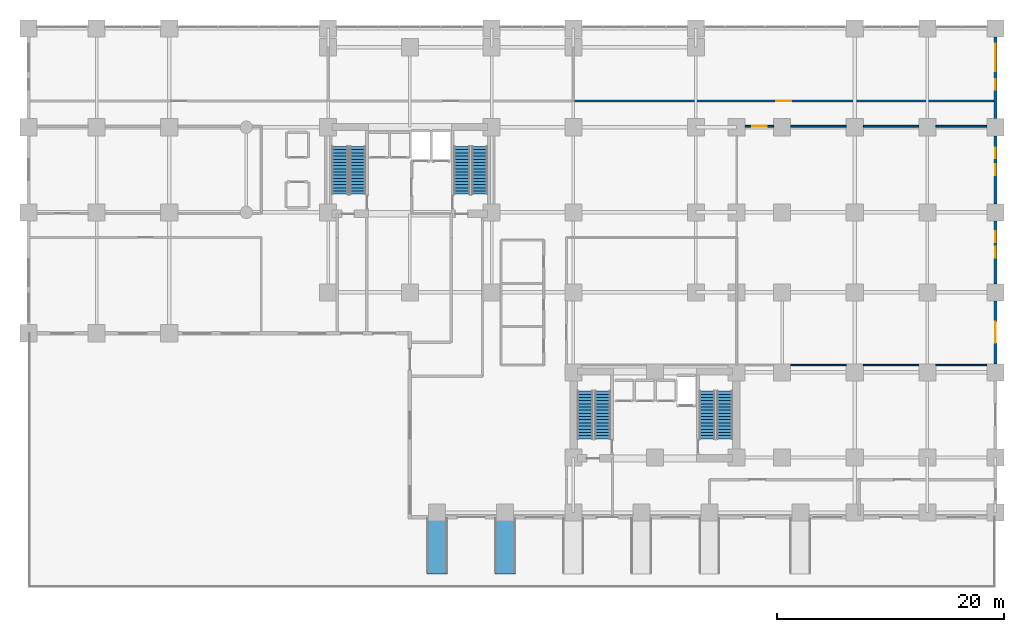
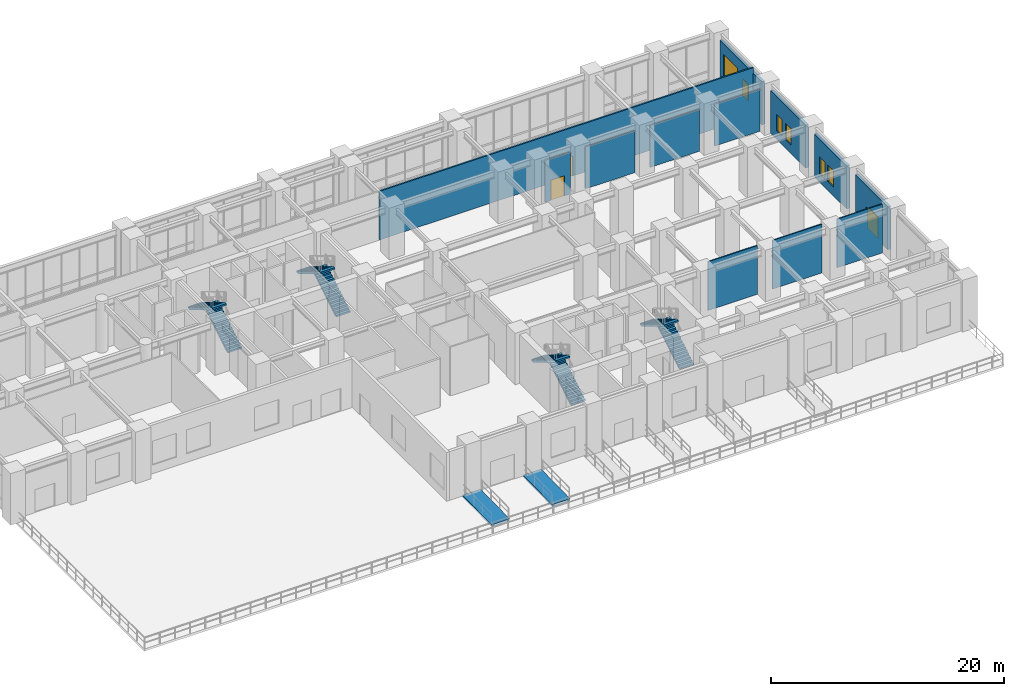
# One storey, part 17 of 22: 12 walls, 8 stair flights, 6 windows, 3 doors, 2 ramp flights, 9 openings, 6 elements without a shape of their own.
"""IFC4 building model written with IfcOpenShell, lengths in metres."""

from ifc_helpers import new_model, si_unit, direction, frame, frame_2d, origin, place, context, subcontext, project, spatial, polyline, rectangle, outline, extrude, material, layer, layer_set, type_object, element, fill, aggregate, save


model = new_model("IFC4")

# Units and contexts
model_context = context("Model", 3, precision=1e-05, world=origin(), true_north=direction((0.0, 1.0)))
body_context = subcontext(model_context, "Body", "Model", "MODEL_VIEW")
ifc_project = project(units=[si_unit("LENGTHUNIT", "METRE"), si_unit("AREAUNIT", "SQUARE_METRE"), si_unit("VOLUMEUNIT", "CUBIC_METRE"), si_unit("PLANEANGLEUNIT", "RADIAN"), si_unit("MASSUNIT", "GRAM", prefix="KILO")], contexts=[model_context])

# Site, building, storey
site_placement = place(None, origin())
site = spatial("IfcSite", under=ifc_project, at=site_placement, CompositionType="ELEMENT")
building_placement = place(site_placement, origin())
building = spatial("IfcBuilding", under=site, at=building_placement, Name="Kaliganga Portal Commons", CompositionType="ELEMENT")
storey_placement = place(building_placement, origin())
storey = spatial("IfcBuildingStorey", under=building, at=storey_placement, Name="L00", CompositionType="ELEMENT", Elevation=0.0)

# Wall, opening, door
ifc_material_1 = material(Name="Precast concrete C40/50", Category="concrete")
ifc_layer_1 = layer(ifc_material_1, 0.300048828125)
ifc_layer_set_1 = layer_set([ifc_layer_1], Name="Precast concrete C40/50")
wall_type_1 = type_object("IfcWallType", Name="WL-EXT-POD-300", PredefinedType="STANDARD", material=ifc_layer_set_1)
wall_1_placement = place(storey_placement, frame((73.199951171875, 20.84912109375, 0.0), z_axis=(0.0, 0.0, 1.0), x_axis=(0.0, -1.0, 0.0)))
wall_1 = element("IfcWall", 1, at=wall_1_placement, inside=storey, type_object=wall_type_1, Name="Exterior Envelope Wall L00 P1-E01-S3", PredefinedType="STANDARD", context=body_context, shape_type="SweptSolid", body=[
    extrude(rectangle(XDim=5.548095703125, YDim=0.300048828125, at=frame_2d((2.77392578125, 0.0))), origin(), (0.0, 0.0, 1.0), 4.5),
])
opening_1_placement = place(wall_1_placement, frame((1.84912109375, 0.0, 0.0)))
opening_1 = element("IfcOpeningElement", 2, at=opening_1_placement, cuts=wall_1, Name="Opening XD-01", PredefinedType="OPENING", context=body_context, shape_type="SweptSolid", body=[
    extrude(rectangle(XDim=1.85009765625, YDim=2.25, at=frame_2d((0.925048828125, 1.125))), frame((0.0, 0.16015625, 0.0), z_axis=(0.0, -1.0, 0.0), x_axis=(1.0, 0.0, 0.0)), (0.0, 0.0, 1.0), 0.320068359375),
])
ifc_material_2 = material(Name="Anodized Aluminium and Laminated Safety Glass", Category="aluminium")
door_type_1 = type_object("IfcDoorType", Name="DR-EXIT-1850", OperationType="DOUBLE_DOOR_SINGLE_SWING", PredefinedType="DOOR", material=ifc_material_2)
door_1_placement = place(opening_1_placement, origin())
door_1 = element("IfcDoor", 3, at=door_1_placement, inside=storey, type_object=door_type_1, Name="North-East Concourse Exit Discharge Door XD-E2", OperationType="DOUBLE_DOOR_SINGLE_SWING", OverallHeight=2.25, OverallWidth=1.85009765625, PredefinedType="DOOR", context=body_context, shape_type="SweptSolid", body=[
    extrude(rectangle(XDim=1.85009765625, YDim=2.25, at=frame_2d((0.925048828125, 1.125))), frame((0.0, 0.02490234375, 0.0), z_axis=(0.0, -1.0, 0.0), x_axis=(1.0, 0.0, 0.0)), (0.0, 0.0, 1.0), 0.050048828125),
])
fill(opening_1, door_1)

# Wall, openings, windows
wall_2_placement = place(storey_placement, frame((73.199951171875, 27.89892578125, 0.0), z_axis=(0.0, 0.0, 1.0), x_axis=(0.0, -1.0, 0.0)))
wall_2 = element("IfcWall", 4, at=wall_2_placement, inside=storey, type_object=wall_type_1, Name="Exterior Envelope Wall L00 P1-E01-S4", PredefinedType="STANDARD", context=body_context, shape_type="SweptSolid", body=[
    extrude(rectangle(XDim=5.5478515625, YDim=0.300048828125, at=frame_2d((2.77392578125, 0.0))), origin(), (0.0, 0.0, 1.0), 4.5),
])
opening_2_placement = place(wall_2_placement, frame((2.299072265625, 0.0, 0.89990234375)))
opening_2 = element("IfcOpeningElement", 5, at=opening_2_placement, cuts=wall_2, Name="Opening W-04", PredefinedType="OPENING", context=body_context, shape_type="SweptSolid", body=[
    extrude(rectangle(XDim=0.949951171875, YDim=1.75, at=frame_2d((0.47509765625, 0.875))), frame((0.0, 0.16015625, 0.0), z_axis=(0.0, -1.0, 0.0), x_axis=(1.0, 0.0, 0.0)), (0.0, 0.0, 1.0), 0.320068359375),
])
opening_3_placement = place(wall_2_placement, frame((0.923095703125, 0.0, 0.89990234375)))
opening_3 = element("IfcOpeningElement", 6, at=opening_3_placement, cuts=wall_2, Name="Opening W-04", PredefinedType="OPENING", context=body_context, shape_type="SweptSolid", body=[
    extrude(rectangle(XDim=0.949951171875, YDim=1.75, at=frame_2d((0.47509765625, 0.875))), frame((0.0, 0.16015625, 0.0), z_axis=(0.0, -1.0, 0.0), x_axis=(1.0, 0.0, 0.0)), (0.0, 0.0, 1.0), 0.320068359375),
])
ifc_material_3 = material(Name="Thermally Broken Aluminium and Low-E Double Glazing", Category="aluminium")
window_type_1 = type_object("IfcWindowType", Name="WIN-NARROW-950", PartitioningType="SINGLE_PANEL", PredefinedType="WINDOW", material=ifc_material_3)
window_1_placement = place(opening_2_placement, origin())
window_1 = element("IfcWindow", 7, at=window_1_placement, inside=storey, type_object=window_type_1, Name="Facade Window L00-P1E01S4-N0", OverallHeight=1.75, OverallWidth=0.949951171875, PartitioningType="SINGLE_PANEL", PredefinedType="WINDOW", context=body_context, shape_type="SweptSolid", body=[
    extrude(rectangle(XDim=0.949951171875, YDim=1.75, at=frame_2d((0.47509765625, 0.875))), frame((0.0, 0.030029296875, 0.0), z_axis=(0.0, -1.0, 0.0), x_axis=(1.0, 0.0, 0.0)), (0.0, 0.0, 1.0), 0.06005859375),
])
fill(opening_2, window_1)
window_2_placement = place(opening_3_placement, origin())
window_2 = element("IfcWindow", 8, at=window_2_placement, inside=storey, type_object=window_type_1, Name="Facade Window L00-P1E01S4-N1", OverallHeight=1.75, OverallWidth=0.949951171875, PartitioningType="SINGLE_PANEL", PredefinedType="WINDOW", context=body_context, shape_type="SweptSolid", body=[
    extrude(rectangle(XDim=0.949951171875, YDim=1.75, at=frame_2d((0.47509765625, 0.875))), frame((0.0, 0.030029296875, 0.0), z_axis=(0.0, -1.0, 0.0), x_axis=(1.0, 0.0, 0.0)), (0.0, 0.0, 1.0), 0.06005859375),
])
fill(opening_3, window_2)

wall_3_placement = place(storey_placement, frame((73.199951171875, 35.39892578125, 0.0), z_axis=(0.0, 0.0, 1.0), x_axis=(0.0, -1.0, 0.0)))
wall_3 = element("IfcWall", 9, at=wall_3_placement, inside=storey, type_object=wall_type_1, Name="Exterior Envelope Wall L00 P1-E01-S5", PredefinedType="STANDARD", context=body_context, shape_type="SweptSolid", body=[
    extrude(rectangle(XDim=5.998046875, YDim=0.300048828125, at=frame_2d((2.9990234375, 0.0))), origin(), (0.0, 0.0, 1.0), 4.5),
])
opening_4_placement = place(wall_3_placement, frame((2.52392578125, 0.0, 0.89990234375)))
opening_4 = element("IfcOpeningElement", 10, at=opening_4_placement, cuts=wall_3, Name="Opening W-04", PredefinedType="OPENING", context=body_context, shape_type="SweptSolid", body=[
    extrude(rectangle(XDim=0.949951171875, YDim=1.75, at=frame_2d((0.47509765625, 0.875))), frame((0.0, 0.16015625, 0.0), z_axis=(0.0, -1.0, 0.0), x_axis=(1.0, 0.0, 0.0)), (0.0, 0.0, 1.0), 0.320068359375),
])
opening_5_placement = place(wall_3_placement, frame((1.03662109375, 0.0, 0.89990234375)))
opening_5 = element("IfcOpeningElement", 11, at=opening_5_placement, cuts=wall_3, Name="Opening W-04", PredefinedType="OPENING", context=body_context, shape_type="SweptSolid", body=[
    extrude(rectangle(XDim=0.949951171875, YDim=1.75, at=frame_2d((0.47509765625, 0.875))), frame((0.0, 0.16015625, 0.0), z_axis=(0.0, -1.0, 0.0), x_axis=(1.0, 0.0, 0.0)), (0.0, 0.0, 1.0), 0.320068359375),
])
window_3_placement = place(opening_4_placement, origin())
window_3 = element("IfcWindow", 12, at=window_3_placement, inside=storey, type_object=window_type_1, Name="Facade Window L00-P1E01S5-N0", OverallHeight=1.75, OverallWidth=0.949951171875, PartitioningType="SINGLE_PANEL", PredefinedType="WINDOW", context=body_context, shape_type="SweptSolid", body=[
    extrude(rectangle(XDim=0.949951171875, YDim=1.75, at=frame_2d((0.47509765625, 0.875))), frame((0.0, 0.030029296875, 0.0), z_axis=(0.0, -1.0, 0.0), x_axis=(1.0, 0.0, 0.0)), (0.0, 0.0, 1.0), 0.06005859375),
])
fill(opening_4, window_3)
window_4_placement = place(opening_5_placement, origin())
window_4 = element("IfcWindow", 13, at=window_4_placement, inside=storey, type_object=window_type_1, Name="Facade Window L00-P1E01S5-N1", OverallHeight=1.75, OverallWidth=0.949951171875, PartitioningType="SINGLE_PANEL", PredefinedType="WINDOW", context=body_context, shape_type="SweptSolid", body=[
    extrude(rectangle(XDim=0.949951171875, YDim=1.75, at=frame_2d((0.47509765625, 0.875))), frame((0.0, 0.030029296875, 0.0), z_axis=(0.0, -1.0, 0.0), x_axis=(1.0, 0.0, 0.0)), (0.0, 0.0, 1.0), 0.06005859375),
])
fill(opening_5, window_4)

wall_4_placement = place(storey_placement, frame((73.199951171875, 44.09912109375, 0.0), z_axis=(0.0, 0.0, 1.0), x_axis=(0.0, -1.0, 0.0)))
wall_4 = element("IfcWall", 14, at=wall_4_placement, inside=storey, type_object=wall_type_1, Name="Exterior Envelope Wall L00 P1-E01-S6", PredefinedType="STANDARD", context=body_context, shape_type="SweptSolid", body=[
    extrude(rectangle(XDim=7.1982421875, YDim=0.300048828125, at=frame_2d((3.59912109375, 0.0))), origin(), (0.0, 0.0, 1.0), 4.5),
])
opening_6_placement = place(wall_4_placement, frame((0.599609375, 0.0, 0.89990234375)))
opening_6 = element("IfcOpeningElement", 15, at=opening_6_placement, cuts=wall_4, Name="Opening W-05", PredefinedType="OPENING", context=body_context, shape_type="SweptSolid", body=[
    extrude(rectangle(XDim=2.39990234375, YDim=2.5, at=frame_2d((1.199951171875, 1.25))), frame((0.0, 0.16015625, 0.0), z_axis=(0.0, -1.0, 0.0), x_axis=(1.0, 0.0, 0.0)), (0.0, 0.0, 1.0), 0.320068359375),
])
opening_7_placement = place(wall_4_placement, frame((3.69970703125, 0.0, 0.89990234375)))
opening_7 = element("IfcOpeningElement", 16, at=opening_7_placement, cuts=wall_4, Name="Opening W-04", PredefinedType="OPENING", context=body_context, shape_type="SweptSolid", body=[
    extrude(rectangle(XDim=0.949951171875, YDim=1.75, at=frame_2d((0.47509765625, 0.875))), frame((0.0, 0.16015625, 0.0), z_axis=(0.0, -1.0, 0.0), x_axis=(1.0, 0.0, 0.0)), (0.0, 0.0, 1.0), 0.320068359375),
])
window_5_placement = place(opening_7_placement, origin())
window_5 = element("IfcWindow", 17, at=window_5_placement, inside=storey, type_object=window_type_1, Name="Facade Window L00-P1E01S6-N6", OverallHeight=1.75, OverallWidth=0.949951171875, PartitioningType="SINGLE_PANEL", PredefinedType="WINDOW", context=body_context, shape_type="SweptSolid", body=[
    extrude(rectangle(XDim=0.949951171875, YDim=1.75, at=frame_2d((0.47509765625, 0.875))), frame((0.0, 0.030029296875, 0.0), z_axis=(0.0, -1.0, 0.0), x_axis=(1.0, 0.0, 0.0)), (0.0, 0.0, 1.0), 0.06005859375),
])
fill(opening_7, window_5)
window_type_2 = type_object("IfcWindowType", Name="WIN-POD-2400", PartitioningType="TRIPLE_PANEL_VERTICAL", PredefinedType="WINDOW", material=ifc_material_3)
window_6_placement = place(opening_6_placement, origin())
window_6 = element("IfcWindow", 18, at=window_6_placement, inside=storey, type_object=window_type_2, Name="Facade Window L00-P1E01S6-00", OverallHeight=2.5, OverallWidth=2.39990234375, PartitioningType="SINGLE_PANEL", PredefinedType="WINDOW", context=body_context, shape_type="SweptSolid", body=[
    extrude(rectangle(XDim=2.39990234375, YDim=2.5, at=frame_2d((1.199951171875, 1.25))), frame((0.0, 0.030029296875, 0.0), z_axis=(0.0, -1.0, 0.0), x_axis=(1.0, 0.0, 0.0)), (0.0, 0.0, 1.0), 0.06005859375),
])
fill(opening_6, window_6)

# Wall, opening, door
ifc_material_4 = material(Name="Fire-Rated Gypsum Board on Steel Stud", Category="steel")
ifc_layer_2 = layer(ifc_material_4, 0.14990234375)
ifc_layer_set_2 = layer_set([ifc_layer_2], Name="Fire-Rated Gypsum Board on Steel Stud")
wall_type_2 = type_object("IfcWallType", Name="WL-PART-CORR-150", PredefinedType="PARTITIONING", material=ifc_layer_set_2)
wall_5_placement = place(storey_placement, frame((36.0, 38.4599609375, 0.0), z_axis=(0.0, 0.0, 1.0), x_axis=(1.0, 0.0, 0.0)))
wall_5 = element("IfcWall", 19, at=wall_5_placement, inside=storey, type_object=wall_type_2, Name="Interior Partition L00-012", PredefinedType="PARTITIONING", context=body_context, shape_type="SweptSolid", body=[
    extrude(rectangle(XDim=37.068115234375, YDim=0.14990234375, at=frame_2d((18.5341796875, 0.0))), origin(), (0.0, 0.0, 1.0), 5.10009765625),
])
opening_8_placement = place(wall_5_placement, frame((17.884033203125, 0.0, 0.0)))
opening_8 = element("IfcOpeningElement", 20, at=opening_8_placement, cuts=wall_5, Name="Opening RD-03", PredefinedType="OPENING", context=body_context, shape_type="SweptSolid", body=[
    extrude(rectangle(XDim=1.300048828125, YDim=2.1201171875, at=frame_2d((0.64990234375, 1.06005859375))), frame((0.0, 0.0849609375, 0.0), z_axis=(0.0, -1.0, 0.0), x_axis=(1.0, 0.0, 0.0)), (0.0, 0.0, 1.0), 0.169921875),
])
ifc_material_5 = material(Name="Glazed Timber Seminar Vision Door", Category="wood")
door_type_2 = type_object("IfcDoorType", Name="DR-STUDY-1300", OperationType="DOUBLE_DOOR_SINGLE_SWING", PredefinedType="DOOR", material=ifc_material_5)
door_2_placement = place(opening_8_placement, origin())
door_2 = element("IfcDoor", 21, at=door_2_placement, inside=storey, type_object=door_type_2, Name="Interior Door L00-COMMONS", OperationType="DOUBLE_DOOR_SINGLE_SWING", OverallHeight=2.1201171875, OverallWidth=1.300048828125, PredefinedType="DOOR", context=body_context, shape_type="SweptSolid", body=[
    extrude(rectangle(XDim=1.300048828125, YDim=2.1201171875, at=frame_2d((0.64990234375, 1.06005859375))), frame((0.0, 0.02490234375, 0.0), z_axis=(0.0, -1.0, 0.0), x_axis=(1.0, 0.0, 0.0)), (0.0, 0.0, 1.0), 0.050048828125),
])
fill(opening_8, door_2)

wall_6_placement = place(storey_placement, frame((51.14990234375, 36.239990234375, 0.0), z_axis=(0.0, 0.0, 1.0), x_axis=(1.0, 0.0, 0.0)))
wall_6 = element("IfcWall", 22, at=wall_6_placement, inside=storey, type_object=wall_type_2, Name="Interior Partition L00-014", PredefinedType="PARTITIONING", context=body_context, shape_type="SweptSolid", body=[
    extrude(rectangle(XDim=2.5, YDim=0.14990234375, at=frame_2d((1.25, 0.0))), origin(), (0.0, 0.0, 1.0), 4.39990234375),
])
opening_9_placement = place(wall_6_placement, frame((0.60009765625, 0.0, 0.0)))
opening_9 = element("IfcOpeningElement", 23, at=opening_9_placement, cuts=wall_6, Name="Opening RD-03", PredefinedType="OPENING", context=body_context, shape_type="SweptSolid", body=[
    extrude(rectangle(XDim=1.300048828125, YDim=2.1201171875, at=frame_2d((0.64990234375, 1.06005859375))), frame((0.0, 0.0849609375, 0.0), z_axis=(0.0, -1.0, 0.0), x_axis=(1.0, 0.0, 0.0)), (0.0, 0.0, 1.0), 0.169921875),
])
door_3_placement = place(opening_9_placement, origin())
door_3 = element("IfcDoor", 24, at=door_3_placement, inside=storey, type_object=door_type_2, Name="Interior Door L00-PHARM", OperationType="DOUBLE_DOOR_SINGLE_SWING", OverallHeight=2.1201171875, OverallWidth=1.300048828125, PredefinedType="DOOR", context=body_context, shape_type="SweptSolid", body=[
    extrude(rectangle(XDim=1.300048828125, YDim=2.1201171875, at=frame_2d((0.64990234375, 1.06005859375))), frame((0.0, 0.02490234375, 0.0), z_axis=(0.0, -1.0, 0.0), x_axis=(1.0, 0.0, 0.0)), (0.0, 0.0, 1.0), 0.050048828125),
])
fill(opening_9, door_3)

# Walls
wall_7_placement = place(storey_placement, frame((55.14990234375, 36.239990234375, 0.0), z_axis=(0.0, 0.0, 1.0), x_axis=(1.0, 0.0, 0.0)))
element("IfcWall", 25, at=wall_7_placement, inside=storey, type_object=wall_type_2, Name="Interior Partition L00-015", PredefinedType="PARTITIONING", context=body_context, shape_type="SweptSolid", body=[
    extrude(rectangle(XDim=4.900146484375, YDim=0.14990234375, at=frame_2d((2.4501953125, 0.0))), origin(), (0.0, 0.0, 1.0), 4.39990234375),
])
wall_8_placement = place(storey_placement, frame((61.550048828125, 36.239990234375, 0.0), z_axis=(0.0, 0.0, 1.0), x_axis=(1.0, 0.0, 0.0)))
element("IfcWall", 26, at=wall_8_placement, inside=storey, type_object=wall_type_2, Name="Interior Partition L00-016", PredefinedType="PARTITIONING", context=body_context, shape_type="SweptSolid", body=[
    extrude(rectangle(XDim=4.89990234375, YDim=0.14990234375, at=frame_2d((2.449951171875, 0.0))), origin(), (0.0, 0.0, 1.0), 4.39990234375),
])
wall_9_placement = place(storey_placement, frame((67.949951171875, 36.239990234375, 0.0), z_axis=(0.0, 0.0, 1.0), x_axis=(1.0, 0.0, 0.0)))
element("IfcWall", 27, at=wall_9_placement, inside=storey, type_object=wall_type_2, Name="Interior Partition L00-017", PredefinedType="PARTITIONING", context=body_context, shape_type="SweptSolid", body=[
    extrude(rectangle(XDim=4.5, YDim=0.14990234375, at=frame_2d((2.25, 0.0))), origin(), (0.0, 0.0, 1.0), 4.39990234375),
])
ifc_material_6 = material(Name="Moisture-Resistant Gypsum Partition", Category="gypsum")
ifc_layer_3 = layer(ifc_material_6, 0.114990234375)
ifc_layer_set_3 = layer_set([ifc_layer_3], Name="Moisture-Resistant Gypsum Partition")
wall_type_3 = type_object("IfcWallType", Name="WL-PART-ROOM-115", PredefinedType="PARTITIONING", material=ifc_layer_set_3)
wall_10_placement = place(storey_placement, frame((55.14990234375, 15.199951171875, 0.0), z_axis=(0.0, 0.0, 1.0), x_axis=(1.0, 0.0, 0.0)))
element("IfcWall", 28, at=wall_10_placement, inside=storey, type_object=wall_type_3, Name="Interior Partition L00-038", PredefinedType="PARTITIONING", context=body_context, shape_type="SweptSolid", body=[
    extrude(rectangle(XDim=4.900146484375, YDim=0.114990234375, at=frame_2d((2.4501953125, 0.0))), origin(), (0.0, 0.0, 1.0), 5.10009765625),
])
wall_11_placement = place(storey_placement, frame((61.550048828125, 15.199951171875, 0.0), z_axis=(0.0, 0.0, 1.0), x_axis=(1.0, 0.0, 0.0)))
element("IfcWall", 29, at=wall_11_placement, inside=storey, type_object=wall_type_3, Name="Interior Partition L00-039", PredefinedType="PARTITIONING", context=body_context, shape_type="SweptSolid", body=[
    extrude(rectangle(XDim=4.89990234375, YDim=0.114990234375, at=frame_2d((2.449951171875, 0.0))), origin(), (0.0, 0.0, 1.0), 5.10009765625),
])
wall_12_placement = place(storey_placement, frame((67.949951171875, 15.199951171875, 0.0), z_axis=(0.0, 0.0, 1.0), x_axis=(1.0, 0.0, 0.0)))
element("IfcWall", 30, at=wall_12_placement, inside=storey, type_object=wall_type_3, Name="Interior Partition L00-040", PredefinedType="PARTITIONING", context=body_context, shape_type="SweptSolid", body=[
    extrude(rectangle(XDim=4.5, YDim=0.114990234375, at=frame_2d((2.25, 0.0))), origin(), (0.0, 0.0, 1.0), 5.10009765625),
])

# Stair, stair flights
ifc_material_7 = material(Name="Concrete C40/50", Category="concrete")
stair_type = type_object("IfcStairType", Name="ST-CORE-DOGLEG", PredefinedType="HALF_TURN_STAIR", material=ifc_material_7)
stair_1_placement = place(storey_placement, origin())
stair_1 = element("IfcStair", 31, at=stair_1_placement, inside=storey, type_object=stair_type, Name="L00 Protected Exit Stair ST-A1", PredefinedType="HALF_TURN_STAIR")
stair_flight_type = type_object("IfcStairFlightType", Name="STF-RC-1400", PredefinedType="STRAIGHT", material=ifc_material_7)
stair_flight_1_placement = place(storey_placement, frame((17.0, 30.25, 0.0), z_axis=(0.0, 0.0, 1.0), x_axis=(0.0, 1.0, 0.0)))
stair_flight_1 = element("IfcStairFlight", 32, at=stair_flight_1_placement, type_object=stair_flight_type, Name="ST-A1 flight 1", NumberOfRisers=16, NumberOfTreads=15, PredefinedType="STRAIGHT", RiserHeight=0.16875, TreadLength=0.28, context=body_context, shape_type="SweptSolid", body=[
    extrude(outline(polyline([(0.0, 0.0), (0.0, 0.168701171875), (0.280029296875, 0.168701171875), (0.280029296875, 0.33740234375), (0.56005859375, 0.33740234375), (0.56005859375, 0.50634765625), (0.840087890625, 0.50634765625), (0.840087890625, 0.675048828125), (1.1201171875, 0.675048828125), (1.1201171875, 0.84375), (1.39990234375, 0.84375), (1.39990234375, 1.012451171875), (1.679931640625, 1.012451171875), (1.679931640625, 1.18115234375), (1.9599609375, 1.18115234375), (1.9599609375, 1.35009765625), (2.239990234375, 1.35009765625), (2.239990234375, 1.518798828125), (2.52001953125, 1.518798828125), (2.52001953125, 1.6875), (2.800048828125, 1.6875), (2.800048828125, 1.856201171875), (3.080078125, 1.856201171875), (3.080078125, 2.02490234375), (3.360107421875, 2.02490234375), (3.360107421875, 2.19384765625), (3.639892578125, 2.19384765625), (3.639892578125, 2.362548828125), (3.919921875, 2.362548828125), (3.919921875, 2.53125), (4.199951171875, 2.53125), (4.199951171875, 2.699951171875), (4.199951171875, 2.356201171875), (0.29052734375, 0.0), (0.0, 0.0)])), frame((0.0, 0.699951171875, 0.0), z_axis=(0.0, -1.0, 0.0), x_axis=(1.0, 0.0, 0.0)), (0.0, 0.0, 1.0), 1.39990234375),
])
stair_flight_2_placement = place(storey_placement, frame((15.449951171875, 34.449951171875, 2.699951171875), z_axis=(0.0, 0.0, 1.0), x_axis=(0.0, -1.0, 0.0)))
stair_flight_2 = element("IfcStairFlight", 33, at=stair_flight_2_placement, type_object=stair_flight_type, Name="ST-A1 flight 2", NumberOfRisers=16, NumberOfTreads=15, PredefinedType="STRAIGHT", RiserHeight=0.16875, TreadLength=0.28, context=body_context, shape_type="SweptSolid", body=[
    extrude(outline(polyline([(0.0, 0.0), (0.0, 0.168701171875), (0.280029296875, 0.168701171875), (0.280029296875, 0.33740234375), (0.56005859375, 0.33740234375), (0.56005859375, 0.50634765625), (0.840087890625, 0.50634765625), (0.840087890625, 0.675048828125), (1.1201171875, 0.675048828125), (1.1201171875, 0.84375), (1.39990234375, 0.84375), (1.39990234375, 1.012451171875), (1.679931640625, 1.012451171875), (1.679931640625, 1.18115234375), (1.9599609375, 1.18115234375), (1.9599609375, 1.35009765625), (2.239990234375, 1.35009765625), (2.239990234375, 1.518798828125), (2.52001953125, 1.518798828125), (2.52001953125, 1.6875), (2.800048828125, 1.6875), (2.800048828125, 1.856201171875), (3.080078125, 1.856201171875), (3.080078125, 2.02490234375), (3.360107421875, 2.02490234375), (3.360107421875, 2.19384765625), (3.639892578125, 2.19384765625), (3.639892578125, 2.362548828125), (3.919921875, 2.362548828125), (3.919921875, 2.53125), (4.199951171875, 2.53125), (4.199951171875, 2.699951171875), (4.199951171875, 2.356201171875), (0.29052734375, 0.0), (0.0, 0.0)])), frame((0.0, 0.699951171875, 0.0), z_axis=(0.0, -1.0, 0.0), x_axis=(1.0, 0.0, 0.0)), (0.0, 0.0, 1.0), 1.39990234375),
])
aggregate(stair_1, [stair_flight_1, stair_flight_2])

stair_2_placement = place(storey_placement, origin())
stair_2 = element("IfcStair", 34, at=stair_2_placement, inside=storey, type_object=stair_type, Name="L00 Protected Exit Stair ST-A2", PredefinedType="HALF_TURN_STAIR")
stair_flight_3_placement = place(storey_placement, frame((27.75, 30.25, 0.0), z_axis=(0.0, 0.0, 1.0), x_axis=(0.0, 1.0, 0.0)))
stair_flight_3 = element("IfcStairFlight", 35, at=stair_flight_3_placement, type_object=stair_flight_type, Name="ST-A2 flight 1", NumberOfRisers=16, NumberOfTreads=15, PredefinedType="STRAIGHT", RiserHeight=0.16875, TreadLength=0.28, context=body_context, shape_type="SweptSolid", body=[
    extrude(outline(polyline([(0.0, 0.0), (0.0, 0.168701171875), (0.280029296875, 0.168701171875), (0.280029296875, 0.33740234375), (0.56005859375, 0.33740234375), (0.56005859375, 0.50634765625), (0.840087890625, 0.50634765625), (0.840087890625, 0.675048828125), (1.1201171875, 0.675048828125), (1.1201171875, 0.84375), (1.39990234375, 0.84375), (1.39990234375, 1.012451171875), (1.679931640625, 1.012451171875), (1.679931640625, 1.18115234375), (1.9599609375, 1.18115234375), (1.9599609375, 1.35009765625), (2.239990234375, 1.35009765625), (2.239990234375, 1.518798828125), (2.52001953125, 1.518798828125), (2.52001953125, 1.6875), (2.800048828125, 1.6875), (2.800048828125, 1.856201171875), (3.080078125, 1.856201171875), (3.080078125, 2.02490234375), (3.360107421875, 2.02490234375), (3.360107421875, 2.19384765625), (3.639892578125, 2.19384765625), (3.639892578125, 2.362548828125), (3.919921875, 2.362548828125), (3.919921875, 2.53125), (4.199951171875, 2.53125), (4.199951171875, 2.699951171875), (4.199951171875, 2.356201171875), (0.29052734375, 0.0), (0.0, 0.0)])), frame((0.0, 0.699951171875, 0.0), z_axis=(0.0, -1.0, 0.0), x_axis=(1.0, 0.0, 0.0)), (0.0, 0.0, 1.0), 1.39990234375),
])
stair_flight_4_placement = place(storey_placement, frame((26.199951171875, 34.449951171875, 2.699951171875), z_axis=(0.0, 0.0, 1.0), x_axis=(0.0, -1.0, 0.0)))
stair_flight_4 = element("IfcStairFlight", 36, at=stair_flight_4_placement, type_object=stair_flight_type, Name="ST-A2 flight 2", NumberOfRisers=16, NumberOfTreads=15, PredefinedType="STRAIGHT", RiserHeight=0.16875, TreadLength=0.28, context=body_context, shape_type="SweptSolid", body=[
    extrude(outline(polyline([(0.0, 0.0), (0.0, 0.168701171875), (0.280029296875, 0.168701171875), (0.280029296875, 0.33740234375), (0.56005859375, 0.33740234375), (0.56005859375, 0.50634765625), (0.840087890625, 0.50634765625), (0.840087890625, 0.675048828125), (1.1201171875, 0.675048828125), (1.1201171875, 0.84375), (1.39990234375, 0.84375), (1.39990234375, 1.012451171875), (1.679931640625, 1.012451171875), (1.679931640625, 1.18115234375), (1.9599609375, 1.18115234375), (1.9599609375, 1.35009765625), (2.239990234375, 1.35009765625), (2.239990234375, 1.518798828125), (2.52001953125, 1.518798828125), (2.52001953125, 1.6875), (2.800048828125, 1.6875), (2.800048828125, 1.856201171875), (3.080078125, 1.856201171875), (3.080078125, 2.02490234375), (3.360107421875, 2.02490234375), (3.360107421875, 2.19384765625), (3.639892578125, 2.19384765625), (3.639892578125, 2.362548828125), (3.919921875, 2.362548828125), (3.919921875, 2.53125), (4.199951171875, 2.53125), (4.199951171875, 2.699951171875), (4.199951171875, 2.356201171875), (0.29052734375, 0.0), (0.0, 0.0)])), frame((0.0, 0.699951171875, 0.0), z_axis=(0.0, -1.0, 0.0), x_axis=(1.0, 0.0, 0.0)), (0.0, 0.0, 1.0), 1.39990234375),
])
aggregate(stair_2, [stair_flight_3, stair_flight_4])

stair_3_placement = place(storey_placement, origin())
stair_3 = element("IfcStair", 37, at=stair_3_placement, inside=storey, type_object=stair_type, Name="L00 Protected Exit Stair ST-B1", PredefinedType="HALF_TURN_STAIR")
stair_flight_5_placement = place(storey_placement, frame((38.60009765625, 8.699951171875, 0.0), z_axis=(0.0, 0.0, 1.0), x_axis=(0.0, 1.0, 0.0)))
stair_flight_5 = element("IfcStairFlight", 38, at=stair_flight_5_placement, type_object=stair_flight_type, Name="ST-B1 flight 1", NumberOfRisers=16, NumberOfTreads=15, PredefinedType="STRAIGHT", RiserHeight=0.16875, TreadLength=0.28, context=body_context, shape_type="SweptSolid", body=[
    extrude(outline(polyline([(0.0, 0.0), (0.0, 0.168701171875), (0.280029296875, 0.168701171875), (0.280029296875, 0.33740234375), (0.56005859375, 0.33740234375), (0.56005859375, 0.50634765625), (0.840087890625, 0.50634765625), (0.840087890625, 0.675048828125), (1.1201171875, 0.675048828125), (1.1201171875, 0.84375), (1.39990234375, 0.84375), (1.39990234375, 1.012451171875), (1.679931640625, 1.012451171875), (1.679931640625, 1.18115234375), (1.9599609375, 1.18115234375), (1.9599609375, 1.35009765625), (2.239990234375, 1.35009765625), (2.239990234375, 1.518798828125), (2.52001953125, 1.518798828125), (2.52001953125, 1.6875), (2.800048828125, 1.6875), (2.800048828125, 1.856201171875), (3.080078125, 1.856201171875), (3.080078125, 2.02490234375), (3.360107421875, 2.02490234375), (3.360107421875, 2.19384765625), (3.639892578125, 2.19384765625), (3.639892578125, 2.362548828125), (3.919921875, 2.362548828125), (3.919921875, 2.53125), (4.199951171875, 2.53125), (4.199951171875, 2.699951171875), (4.199951171875, 2.356201171875), (0.29052734375, 0.0), (0.0, 0.0)])), frame((0.0, 0.699951171875, 0.0), z_axis=(0.0, -1.0, 0.0), x_axis=(1.0, 0.0, 0.0)), (0.0, 0.0, 1.0), 1.39990234375),
])
stair_flight_6_placement = place(storey_placement, frame((37.050048828125, 12.89990234375, 2.699951171875), z_axis=(0.0, 0.0, 1.0), x_axis=(0.0, -1.0, 0.0)))
stair_flight_6 = element("IfcStairFlight", 39, at=stair_flight_6_placement, type_object=stair_flight_type, Name="ST-B1 flight 2", NumberOfRisers=16, NumberOfTreads=15, PredefinedType="STRAIGHT", RiserHeight=0.16875, TreadLength=0.28, context=body_context, shape_type="SweptSolid", body=[
    extrude(outline(polyline([(0.0, 0.0), (0.0, 0.168701171875), (0.280029296875, 0.168701171875), (0.280029296875, 0.33740234375), (0.56005859375, 0.33740234375), (0.56005859375, 0.50634765625), (0.840087890625, 0.50634765625), (0.840087890625, 0.675048828125), (1.1201171875, 0.675048828125), (1.1201171875, 0.84375), (1.39990234375, 0.84375), (1.39990234375, 1.012451171875), (1.679931640625, 1.012451171875), (1.679931640625, 1.18115234375), (1.9599609375, 1.18115234375), (1.9599609375, 1.35009765625), (2.239990234375, 1.35009765625), (2.239990234375, 1.518798828125), (2.52001953125, 1.518798828125), (2.52001953125, 1.6875), (2.800048828125, 1.6875), (2.800048828125, 1.856201171875), (3.080078125, 1.856201171875), (3.080078125, 2.02490234375), (3.360107421875, 2.02490234375), (3.360107421875, 2.19384765625), (3.639892578125, 2.19384765625), (3.639892578125, 2.362548828125), (3.919921875, 2.362548828125), (3.919921875, 2.53125), (4.199951171875, 2.53125), (4.199951171875, 2.699951171875), (4.199951171875, 2.356201171875), (0.29052734375, 0.0), (0.0, 0.0)])), frame((0.0, 0.699951171875, 0.0), z_axis=(0.0, -1.0, 0.0), x_axis=(1.0, 0.0, 0.0)), (0.0, 0.0, 1.0), 1.39990234375),
])
aggregate(stair_3, [stair_flight_5, stair_flight_6])

stair_4_placement = place(storey_placement, origin())
stair_4 = element("IfcStair", 40, at=stair_4_placement, inside=storey, type_object=stair_type, Name="L00 Protected Exit Stair ST-B2", PredefinedType="HALF_TURN_STAIR")
stair_flight_7_placement = place(storey_placement, frame((49.35009765625, 8.699951171875, 0.0), z_axis=(0.0, 0.0, 1.0), x_axis=(0.0, 1.0, 0.0)))
stair_flight_7 = element("IfcStairFlight", 41, at=stair_flight_7_placement, type_object=stair_flight_type, Name="ST-B2 flight 1", NumberOfRisers=16, NumberOfTreads=15, PredefinedType="STRAIGHT", RiserHeight=0.16875, TreadLength=0.28, context=body_context, shape_type="SweptSolid", body=[
    extrude(outline(polyline([(0.0, 0.0), (0.0, 0.168701171875), (0.280029296875, 0.168701171875), (0.280029296875, 0.33740234375), (0.56005859375, 0.33740234375), (0.56005859375, 0.50634765625), (0.840087890625, 0.50634765625), (0.840087890625, 0.675048828125), (1.1201171875, 0.675048828125), (1.1201171875, 0.84375), (1.39990234375, 0.84375), (1.39990234375, 1.012451171875), (1.679931640625, 1.012451171875), (1.679931640625, 1.18115234375), (1.9599609375, 1.18115234375), (1.9599609375, 1.35009765625), (2.239990234375, 1.35009765625), (2.239990234375, 1.518798828125), (2.52001953125, 1.518798828125), (2.52001953125, 1.6875), (2.800048828125, 1.6875), (2.800048828125, 1.856201171875), (3.080078125, 1.856201171875), (3.080078125, 2.02490234375), (3.360107421875, 2.02490234375), (3.360107421875, 2.19384765625), (3.639892578125, 2.19384765625), (3.639892578125, 2.362548828125), (3.919921875, 2.362548828125), (3.919921875, 2.53125), (4.199951171875, 2.53125), (4.199951171875, 2.699951171875), (4.199951171875, 2.356201171875), (0.29052734375, 0.0), (0.0, 0.0)])), frame((0.0, 0.699951171875, 0.0), z_axis=(0.0, -1.0, 0.0), x_axis=(1.0, 0.0, 0.0)), (0.0, 0.0, 1.0), 1.39990234375),
])
stair_flight_8_placement = place(storey_placement, frame((47.800048828125, 12.89990234375, 2.699951171875), z_axis=(0.0, 0.0, 1.0), x_axis=(0.0, -1.0, 0.0)))
stair_flight_8 = element("IfcStairFlight", 42, at=stair_flight_8_placement, type_object=stair_flight_type, Name="ST-B2 flight 2", NumberOfRisers=16, NumberOfTreads=15, PredefinedType="STRAIGHT", RiserHeight=0.16875, TreadLength=0.28, context=body_context, shape_type="SweptSolid", body=[
    extrude(outline(polyline([(0.0, 0.0), (0.0, 0.168701171875), (0.280029296875, 0.168701171875), (0.280029296875, 0.33740234375), (0.56005859375, 0.33740234375), (0.56005859375, 0.50634765625), (0.840087890625, 0.50634765625), (0.840087890625, 0.675048828125), (1.1201171875, 0.675048828125), (1.1201171875, 0.84375), (1.39990234375, 0.84375), (1.39990234375, 1.012451171875), (1.679931640625, 1.012451171875), (1.679931640625, 1.18115234375), (1.9599609375, 1.18115234375), (1.9599609375, 1.35009765625), (2.239990234375, 1.35009765625), (2.239990234375, 1.518798828125), (2.52001953125, 1.518798828125), (2.52001953125, 1.6875), (2.800048828125, 1.6875), (2.800048828125, 1.856201171875), (3.080078125, 1.856201171875), (3.080078125, 2.02490234375), (3.360107421875, 2.02490234375), (3.360107421875, 2.19384765625), (3.639892578125, 2.19384765625), (3.639892578125, 2.362548828125), (3.919921875, 2.362548828125), (3.919921875, 2.53125), (4.199951171875, 2.53125), (4.199951171875, 2.699951171875), (4.199951171875, 2.356201171875), (0.29052734375, 0.0), (0.0, 0.0)])), frame((0.0, 0.699951171875, 0.0), z_axis=(0.0, -1.0, 0.0), x_axis=(1.0, 0.0, 0.0)), (0.0, 0.0, 1.0), 1.39990234375),
])
aggregate(stair_4, [stair_flight_7, stair_flight_8])

# Ramp, ramp flight
ramp_type = type_object("IfcRampType", Name="RMP-PROM-ACC", PredefinedType="STRAIGHT_RUN_RAMP", material=ifc_material_7)
ramp_1_placement = place(storey_placement, origin())
ramp_1 = element("IfcRamp", 43, at=ramp_1_placement, inside=storey, type_object=ramp_type, Name="Accessible Canal Promenade Ramp RMP-01", PredefinedType="STRAIGHT_RUN_RAMP")
ramp_flight_type = type_object("IfcRampFlightType", Name="RMF-PROM-180", PredefinedType="STRAIGHT", material=ifc_material_7)
ramp_flight_1_placement = place(storey_placement, frame((23.10009765625, -3.199951171875, -0.10009765625), z_axis=(0.0, -0.020015520725, 0.999799669399), x_axis=(1.0, 0.0, 0.0)))
ramp_flight_1 = element("IfcRampFlight", 44, at=ramp_flight_1_placement, type_object=ramp_flight_type, Name="Accessible Canal Promenade Ramp Flight RMF-01", PredefinedType="STRAIGHT", context=body_context, shape_type="SweptSolid", body=[
    extrude(outline(polyline([(0.0, 0.0), (1.7998046875, 0.0), (1.7998046875, 5.0010018537075895), (0.0, 5.0010018537075895), (0.0, 0.0)])), origin(), (0.0, 0.0, -1.0), 0.199951171875),
])
aggregate(ramp_1, [ramp_flight_1])

ramp_2_placement = place(storey_placement, origin())
ramp_2 = element("IfcRamp", 45, at=ramp_2_placement, inside=storey, type_object=ramp_type, Name="Accessible Canal Promenade Ramp RMP-02", PredefinedType="STRAIGHT_RUN_RAMP")
ramp_flight_2_placement = place(storey_placement, frame((29.10009765625, -3.199951171875, -0.10009765625), z_axis=(0.0, -0.020015520725, 0.999799669399), x_axis=(1.0, 0.0, 0.0)))
ramp_flight_2 = element("IfcRampFlight", 46, at=ramp_flight_2_placement, type_object=ramp_flight_type, Name="Accessible Canal Promenade Ramp Flight RMF-02", PredefinedType="STRAIGHT", context=body_context, shape_type="SweptSolid", body=[
    extrude(outline(polyline([(0.0, 0.0), (1.7998046875, 0.0), (1.7998046875, 5.0010018537075895), (0.0, 5.0010018537075895), (0.0, 0.0)])), origin(), (0.0, 0.0, -1.0), 0.199951171875),
])
aggregate(ramp_2, [ramp_flight_2])

save(model, "model.ifc")
